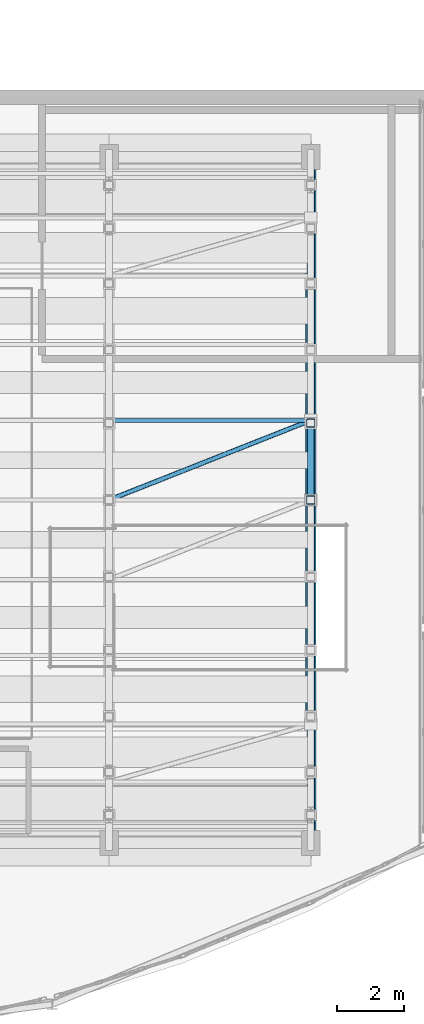
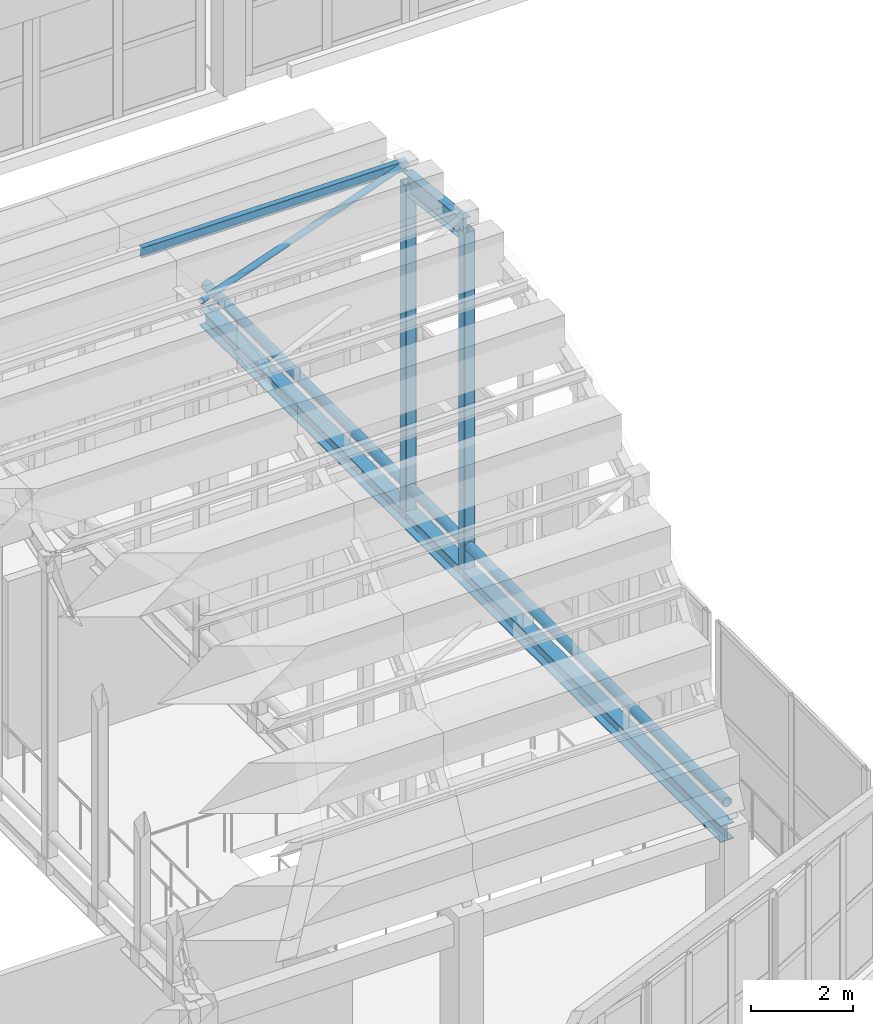
# One storey, part 14 of 91: 5 members, 2 beams.
"""IFC4 building model written with IfcOpenShell, lengths in metres."""

from ifc_helpers import new_model, si_unit, direction, frame, origin, origin_2d, place, context, subcontext, project, spatial, hollow_rectangle, hollow_circle, i_section, extrude, material, material_profile, profile_set, type_object, element, save


model = new_model("IFC4")

# Units and contexts
model_context = context("Model", 3, precision=1e-05, world=origin(), true_north=direction((0.0, 1.0)))
body_context = subcontext(model_context, "Body", "Model", "MODEL_VIEW")
ifc_project = project(units=[si_unit("LENGTHUNIT", "METRE"), si_unit("AREAUNIT", "SQUARE_METRE"), si_unit("VOLUMEUNIT", "CUBIC_METRE"), si_unit("PLANEANGLEUNIT", "RADIAN"), si_unit("MASSUNIT", "GRAM", prefix="KILO")], contexts=[model_context])

# Site, building, storey
site_placement = place(None, origin())
site = spatial("IfcSite", under=ifc_project, at=site_placement, CompositionType="ELEMENT")
building_placement = place(site_placement, origin())
building = spatial("IfcBuilding", under=site, at=building_placement, Name="Tarnavel Promenade Courthouse", CompositionType="ELEMENT")
storey_placement = place(building_placement, frame((0.0, 0.0, 9.89990234375)))
storey = spatial("IfcBuildingStorey", under=building, at=storey_placement, Name="L03", CompositionType="ELEMENT", Elevation=9.89990234375)

# Beams
ifc_material = material(Name="Steel S355J2", Category="steel")
ifc_material_profile_1 = material_profile(ifc_material, i_section(OverallWidth=0.199951171875, OverallDepth=0.5, WebThickness=0.01025390625, FlangeThickness=0.01611328125, FilletRadius=0.02099609375, at=origin_2d()), Name="IPE 500")
ifc_profile_set_1 = profile_set([ifc_material_profile_1], Name="Steel S355J2")
beam_type_1 = type_object("IfcBeamType", Name="Steel S355J2 BM-AR-IPE500 (IPE 500)", PredefinedType="T_BEAM", material=ifc_profile_set_1)
beam_1_placement = place(storey_placement, frame((51.60009765625, 25.0, 12.35009765625), z_axis=(0.0, 0.994030256649, -0.10910476097), x_axis=(-1.0, 0.0, 0.0)))
element("IfcBeam", 1, at=beam_1_placement, inside=storey, type_object=beam_type_1, Name="V4 Barrel Vault Arch Rib 08 Chord 07", PredefinedType="T_BEAM", context=body_context, shape_type="SweptSolid", body=[
    extrude(i_section(OverallWidth=0.199951171875, OverallDepth=0.5, WebThickness=0.01025390625, FlangeThickness=0.01611328125, FilletRadius=0.02099609375, at=origin_2d()), origin(), (0.0, 0.0, 1.0), 2.302490234375),
])
ifc_material_profile_2 = material_profile(ifc_material, i_section(OverallWidth=0.300048828125, OverallDepth=0.39990234375, WebThickness=0.013427734375, FlangeThickness=0.02392578125, FilletRadius=0.027099609375, at=origin_2d()), Name="HEB 400")
ifc_profile_set_2 = profile_set([ifc_material_profile_2], Name="Steel S355J2")
beam_type_2 = type_object("IfcBeamType", Name="Steel S355J2 BM-ST-HEB400 (HEB 400)", PredefinedType="T_BEAM", material=ifc_profile_set_2)
beam_2_placement = place(storey_placement, frame((51.60009765625, 14.800048828125, 4.1201171875), z_axis=(0.0, 1.0, 0.0), x_axis=(-1.0, 0.0, 0.0)))
element("IfcBeam", 2, at=beam_2_placement, inside=storey, type_object=beam_type_2, Name="V4 Barrel Vault Tie Girder 08", PredefinedType="T_BEAM", context=body_context, shape_type="SweptSolid", body=[
    extrude(i_section(OverallWidth=0.300048828125, OverallDepth=0.39990234375, WebThickness=0.013427734375, FlangeThickness=0.02392578125, FilletRadius=0.027099609375, at=origin_2d()), origin(), (0.0, 0.0, 1.0), 20.39990234375),
])

# Members
ifc_material_profile_3 = material_profile(ifc_material, hollow_circle(Radius=0.06982421875, WallThickness=0.008056640625, at=origin_2d()), Name="CHS 139.7x8")
ifc_profile_set_3 = profile_set([ifc_material_profile_3], Name="Steel S355J2")
member_type_1 = type_object("IfcMemberType", Name="Steel S355J2 MEM-BR-CHS140 (CHS 139.7x8)", PredefinedType="BRACE", material=ifc_profile_set_3)
member_1_placement = place(storey_placement, frame((45.60009765625, 25.0, 12.72998046875), z_axis=(0.929257879946, 0.367226258546, -0.040307165528), x_axis=(-0.367524932831, 0.930013668581, 0.0)))
element("IfcMember", 3, at=member_1_placement, inside=storey, type_object=member_type_1, Name="V4 Barrel Vault Roof Brace 07-06", PredefinedType="BRACE", context=body_context, shape_type="SweptSolid", body=[
    extrude(hollow_circle(Radius=0.06982421875, WallThickness=0.008056640625, at=origin_2d()), origin(), (0.0, 0.0, 1.0), 6.456787109375),
])
ifc_material_profile_4 = material_profile(ifc_material, i_section(OverallWidth=0.1201171875, OverallDepth=0.239990234375, WebThickness=0.006103515625, FlangeThickness=0.009765625, FilletRadius=0.014892578125, at=origin_2d()), Name="IPE 240")
ifc_profile_set_4 = profile_set([ifc_material_profile_4], Name="Steel S355J2")
member_type_2 = type_object("IfcMemberType", Name="Steel S355J2 MEM-PUR-IPE240 (IPE 240)", PredefinedType="PURLIN", material=ifc_profile_set_4)
member_2_placement = place(storey_placement, frame((45.60009765625, 27.37109375, 12.4697265625), z_axis=(1.0, 0.0, 0.0), x_axis=(0.0, 1.0, 0.0)))
element("IfcMember", 4, at=member_2_placement, inside=storey, type_object=member_type_2, Name="V4 Barrel Vault Purlin 07-07", PredefinedType="PURLIN", context=body_context, shape_type="SweptSolid", body=[
    extrude(i_section(OverallWidth=0.1201171875, OverallDepth=0.239990234375, WebThickness=0.006103515625, FlangeThickness=0.009765625, FilletRadius=0.014892578125, at=origin_2d()), origin(), (0.0, 0.0, 1.0), 6.0),
])
ifc_material_profile_5 = material_profile(ifc_material, hollow_rectangle(XDim=0.25, YDim=0.25, WallThickness=0.012451171875, InnerFilletRadius=0.012451171875, OuterFilletRadius=0.02490234375, at=origin_2d()), Name="SHS 250x250x12.5")
ifc_profile_set_5 = profile_set([ifc_material_profile_5], Name="Steel S355J2")
member_type_3 = type_object("IfcMemberType", Name="Steel S355J2 MEM-STR-SHS250 (SHS 250x250x12.5)", PredefinedType="STRUT", material=ifc_profile_set_5)
member_3_placement = place(storey_placement, frame((51.60009765625, 25.0, 4.1201171875), z_axis=(0.0, 0.0, 1.0), x_axis=(1.0, 0.0, 0.0)))
element("IfcMember", 5, at=member_3_placement, inside=storey, type_object=member_type_3, Name="V4 Vault Arch Web Strut 08-06", PredefinedType="STRUT", context=body_context, shape_type="SweptSolid", body=[
    extrude(hollow_rectangle(XDim=0.25, YDim=0.25, WallThickness=0.012451171875, InnerFilletRadius=0.012451171875, OuterFilletRadius=0.02490234375, at=origin_2d()), origin(), (0.0, 0.0, 1.0), 8.22998046875),
])
member_4_placement = place(storey_placement, frame((51.60009765625, 27.288818359375, 4.1201171875), z_axis=(0.0, 0.0, 1.0), x_axis=(1.0, 0.0, 0.0)))
element("IfcMember", 6, at=member_4_placement, inside=storey, type_object=member_type_3, Name="V4 Vault Arch Web Strut 08-07", PredefinedType="STRUT", context=body_context, shape_type="SweptSolid", body=[
    extrude(hollow_rectangle(XDim=0.25, YDim=0.25, WallThickness=0.012451171875, InnerFilletRadius=0.012451171875, OuterFilletRadius=0.02490234375, at=origin_2d()), origin(), (0.0, 0.0, 1.0), 7.978759765625),
])
ifc_material_profile_6 = material_profile(ifc_material, hollow_circle(Radius=0.109619140625, WallThickness=0.010009765625, at=origin_2d()), Name="CHS 219.1x10")
ifc_profile_set_6 = profile_set([ifc_material_profile_6], Name="Steel S355J2")
member_type_4 = type_object("IfcMemberType", Name="Steel S355J2 MEM-TIE-CHS219 (CHS 219.1x10)", PredefinedType="CHORD", material=ifc_profile_set_6)
member_5_placement = place(storey_placement, frame((51.60009765625, 14.800048828125, 4.840087890625), z_axis=(0.0, 1.0, 0.0), x_axis=(-1.0, 0.0, 0.0)))
element("IfcMember", 7, at=member_5_placement, inside=storey, type_object=member_type_4, Name="V4 Barrel Vault Springline Tie Rod 08", PredefinedType="CHORD", context=body_context, shape_type="SweptSolid", body=[
    extrude(hollow_circle(Radius=0.109619140625, WallThickness=0.010009765625, at=origin_2d()), origin(), (0.0, 0.0, 1.0), 20.39990234375),
])

save(model, "model.ifc")
